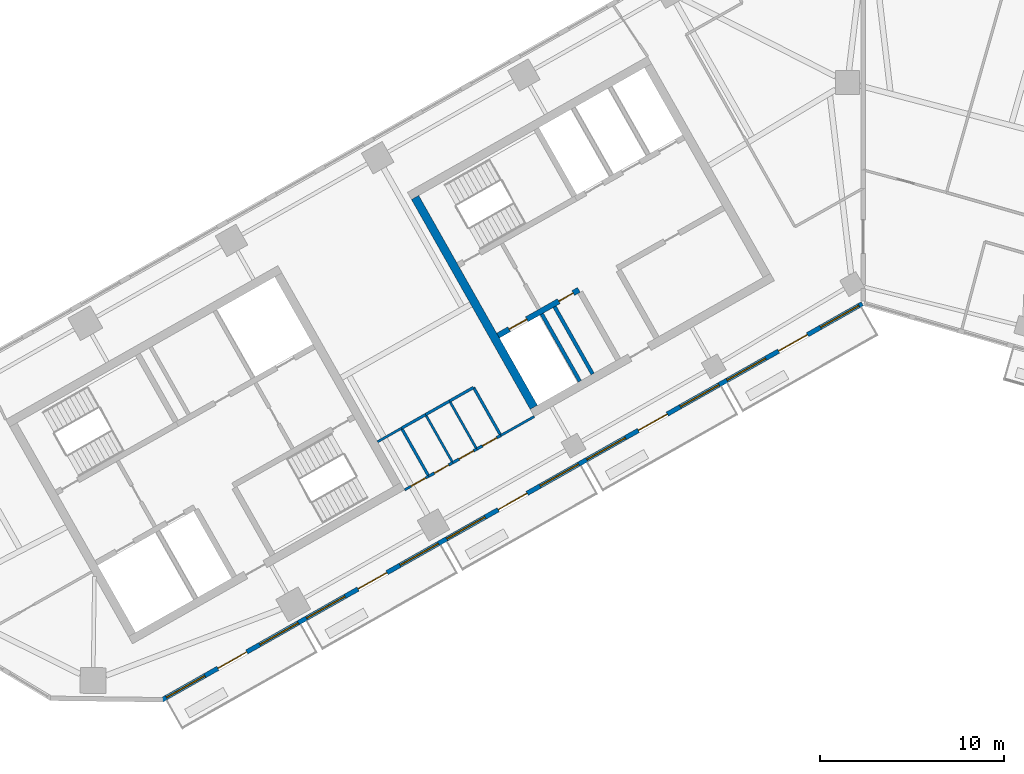
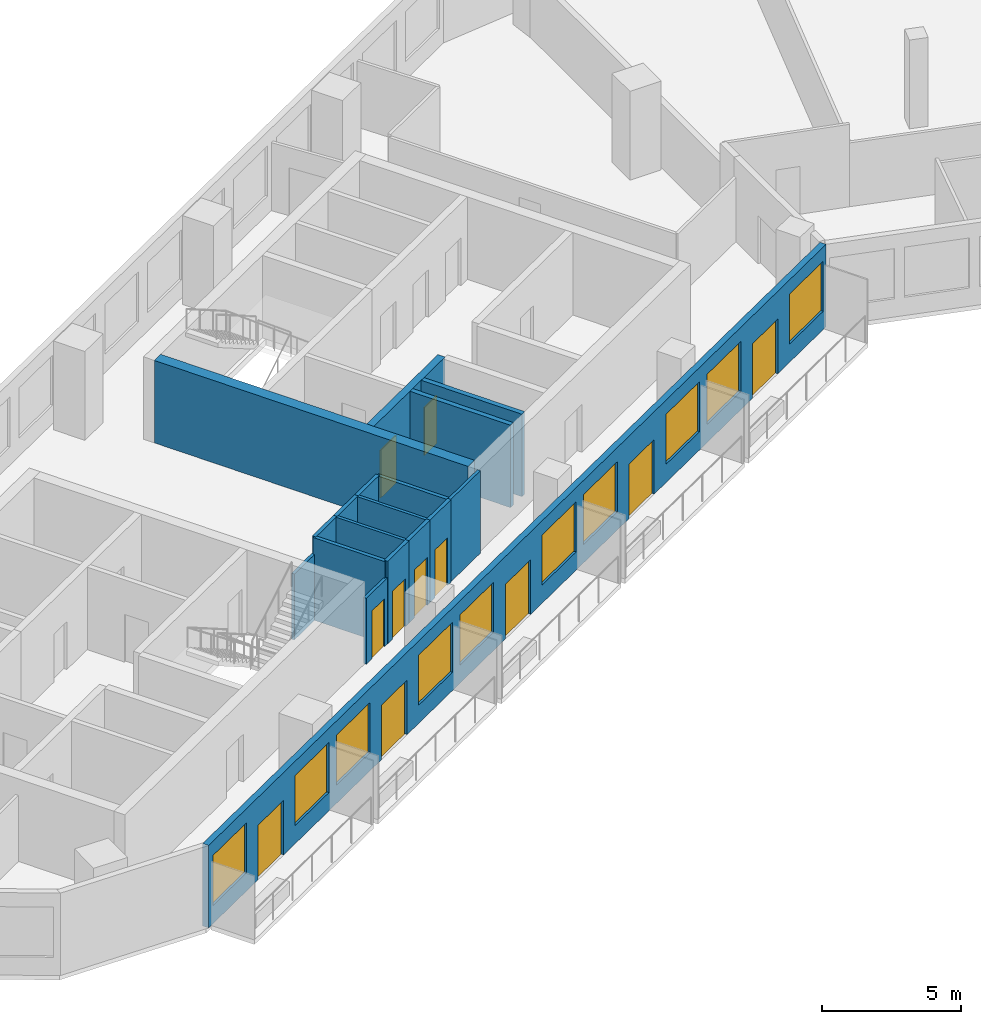
# One storey, part 5 of 12: 18 walls, 11 doors, 10 windows, 21 openings.
"""IFC4 building model written with IfcOpenShell, lengths in metres."""

import ifcopenshell
import ifcopenshell.guid

model = None  # the IFC model being written
_history = None  # IfcOwnerHistory: only IFC2X3 demands one
_inside = {}  # id of a spatial element -> (the spatial element, [elements in it])
_under = {}  # id of a project, library or spatial element -> (it, [spatial elements below it])
_declared = {}  # id of a project -> (the project, [libraries it declares])
_typed = {}  # id of a type object -> (the type object, [elements of that type])
_made_of = {}  # id of a material, layer set ... -> (it, [elements and type objects made of it])


def new_model(schema):
    """Start an empty IFC model of exactly this schema.

    Asked for "IFC4X3", IfcOpenShell would pick the latest addendum, in which some entities
    have other attributes; the version numbers below select the first issue.
    IFC2X3 requires an IfcOwnerHistory on every rooted entity: one is made here for all.
    """
    global model, _history
    if schema == "IFC4X3":
        model = ifcopenshell.file(schema_version=(4, 3, 0, 0))
    else:
        model = ifcopenshell.file(schema=schema)
    _inside.clear()
    _under.clear()
    _declared.clear()
    _typed.clear()
    _made_of.clear()
    _history = None
    if model.schema == "IFC2X3":
        org = make("IfcOrganization", Name="unknown")
        user = make(
            "IfcPersonAndOrganization",
            ThePerson=make("IfcPerson", FamilyName="unknown"),
            TheOrganization=org,
        )
        app = make(
            "IfcApplication",
            ApplicationDeveloper=org,
            Version="unknown",
            ApplicationFullName="unknown",
            ApplicationIdentifier="unknown",
        )
        _history = make(
            "IfcOwnerHistory",
            OwningUser=user,
            OwningApplication=app,
            ChangeAction="ADDED",
            CreationDate=0,
        )
    return model


def make(cls, **values):
    """One entity of the class cls with the attributes given. An attribute that is None is left unset."""
    return model.create_entity(
        cls, **{name: value for name, value in values.items() if value is not None}
    )


def rooted(cls, **values):
    """An entity with a GlobalId (a new one), such as an element, a storey or a relation."""
    return make(cls, GlobalId=ifcopenshell.guid.new(), OwnerHistory=_history, **values)


def si_unit(unit_type, name, prefix=None):
    """IfcSIUnit, for example si_unit("LENGTHUNIT", "METRE", prefix="MILLI")."""
    return make("IfcSIUnit", UnitType=unit_type, Prefix=prefix, Name=name)


def assignment(units):
    """IfcUnitAssignment: the units of a project."""
    return None if units is None else make("IfcUnitAssignment", Units=units)


def point(xyz):
    """IfcCartesianPoint."""
    return None if xyz is None else make("IfcCartesianPoint", Coordinates=xyz)


def direction(xyz):
    """IfcDirection."""
    return None if xyz is None else make("IfcDirection", DirectionRatios=xyz)


def frame(location, z_axis=None, x_axis=None):
    """IfcAxis2Placement3D, a coordinate frame: its origin and axes. An axis left out is left unset."""
    return make(
        "IfcAxis2Placement3D",
        Location=point(location),
        Axis=direction(z_axis),
        RefDirection=direction(x_axis),
    )


def frame_2d(location, x_axis=None):
    """IfcAxis2Placement2D, a coordinate frame in the plane: its origin and x axis."""
    return make(
        "IfcAxis2Placement2D", Location=point(location), RefDirection=direction(x_axis)
    )


def origin():
    """The frame at (0, 0, 0) with its axes left unset."""
    return frame((0.0, 0.0, 0.0))


def place(relative_to, where):
    """IfcLocalPlacement: puts the frame where relative to a parent placement (None: the world)."""
    return make(
        "IfcLocalPlacement", PlacementRelTo=relative_to, RelativePlacement=where
    )


def context(
    kind, dimensions, precision=None, world=None, true_north=None, identifier=None
):
    """IfcGeometricRepresentationContext, for example the 3D "Model" context."""
    return make(
        "IfcGeometricRepresentationContext",
        ContextIdentifier=identifier,
        ContextType=kind,
        CoordinateSpaceDimension=dimensions,
        Precision=precision,
        WorldCoordinateSystem=world,
        TrueNorth=true_north,
    )


def subcontext(parent, identifier, kind, view, scale=None):
    """IfcGeometricRepresentationSubContext, for example "Body" below "Model"."""
    return make(
        "IfcGeometricRepresentationSubContext",
        ContextIdentifier=identifier,
        ContextType=kind,
        ParentContext=parent,
        TargetScale=scale,
        TargetView=view,
    )


def project(units=None, contexts=None):
    """IfcProject with its units and contexts."""
    return rooted(
        "IfcProject",
        Name="project",
        RepresentationContexts=contexts,
        UnitsInContext=assignment(units),
    )


def spatial(cls, under=None, at=None, **own):
    """A site, building, storey or space (cls), placed at a placement, below another one or the project."""
    s = rooted(cls, ObjectPlacement=at, **own)
    if under is not None:
        _under.setdefault(under.id(), (under, []))[1].append(s)
    return s


def profile(cls, at=None, kind="AREA", **sizes):
    """A parametric profile (cls). Its sizes go by their IFC names, for example OverallWidth=200.0."""
    return make(cls, ProfileType=kind, Position=at, **sizes)


def rectangle(**sizes):
    """IfcRectangleProfileDef."""
    return profile("IfcRectangleProfileDef", **sizes)


def extrude(swept, where, along, depth):
    """IfcExtrudedAreaSolid: the profile swept, set in the frame where, extruded along a direction by depth."""
    return make(
        "IfcExtrudedAreaSolid",
        SweptArea=swept,
        Position=where,
        ExtrudedDirection=direction(along),
        Depth=depth,
    )


def shape(context_of_items, identifier, shape_type, items):
    """IfcShapeRepresentation: the items that make up one representation, for example the "Body"."""
    return make(
        "IfcShapeRepresentation",
        ContextOfItems=context_of_items,
        RepresentationIdentifier=identifier,
        RepresentationType=shape_type,
        Items=items,
    )


def material(Name=None, Category=None):
    """IfcMaterial."""
    return make("IfcMaterial", Name=Name, Category=Category)


def layer(
    of_material, thickness, ventilated=None, Name=None, Category=None, Priority=None
):
    """IfcMaterialLayer: one layer of a wall or slab, of a material (None: an air gap)."""
    return make(
        "IfcMaterialLayer",
        Material=of_material,
        LayerThickness=thickness,
        IsVentilated=ventilated,
        Name=Name,
        Category=Category,
        Priority=Priority,
    )


def layer_set(layers, Name=None):
    """IfcMaterialLayerSet."""
    return make("IfcMaterialLayerSet", MaterialLayers=layers, LayerSetName=Name)


def made_of(thing, what):
    """Note that an element or type object is made of a material, layer set ...; save() writes the relation."""
    if what is not None:
        _made_of.setdefault(what.id(), (what, []))[1].append(thing)
    return thing


def type_object(cls, material=None, **own):
    """A type object (cls), such as IfcWallType, which elements share."""
    return made_of(rooted(cls, **own), material)


def element(
    cls,
    number,
    at=None,
    inside=None,
    cuts=None,
    type_object=None,
    material=None,
    context=None,
    identifier="Body",
    shape_type=None,
    held_by="IfcProductDefinitionShape",
    body=None,
    shapes=None,
    **own,
):
    """One element of the class cls, such as IfcWall. Its Tag is "e" and its number.

    at: its placement. inside: the storey or other place that contains it. cuts: it is an
    opening in that element (IfcRelVoidsElement). A single representation is given by context,
    identifier, shape_type and body (its items); several are given by shapes. held_by: the class
    of the entity that holds the representations. save() writes the other relations.
    """
    e = rooted(cls, Tag="e%d" % number, ObjectPlacement=at, **own)
    if body is not None:
        shapes = [shape(context, identifier, shape_type, body)]
    if shapes is not None:
        e.Representation = make(held_by, Representations=shapes)
    if inside is not None:
        _inside.setdefault(inside.id(), (inside, []))[1].append(e)
    if cuts is not None:
        rooted(
            "IfcRelVoidsElement", RelatingBuildingElement=cuts, RelatedOpeningElement=e
        )
    if type_object is not None:
        _typed.setdefault(type_object.id(), (type_object, []))[1].append(e)
    return made_of(e, material)


def fill(opening, filler):
    """IfcRelFillsElement: the door or window that sits in an opening."""
    return rooted(
        "IfcRelFillsElement",
        RelatingOpeningElement=opening,
        RelatedBuildingElement=filler,
    )


def aggregate(whole, parts):
    """IfcRelAggregates: a whole, such as a stair, and the parts it consists of."""
    return rooted("IfcRelAggregates", RelatingObject=whole, RelatedObjects=parts)


def save(model, path):
    """Write the relations noted so far, then the file.

    IfcRelAggregates (storeys below a building ...), IfcRelContainedInSpatialStructure (elements
    in a storey), IfcRelDefinesByType, IfcRelAssociatesMaterial and IfcRelDeclares: one each for
    every whole, place, type object, material and project.
    """
    for whole, parts in _under.values():
        aggregate(whole, parts)
    for where, things in _inside.values():
        rooted(
            "IfcRelContainedInSpatialStructure",
            RelatedElements=things,
            RelatingStructure=where,
        )
    for kind, things in _typed.values():
        rooted("IfcRelDefinesByType", RelatedObjects=things, RelatingType=kind)
    for what, things in _made_of.values():
        rooted("IfcRelAssociatesMaterial", RelatedObjects=things, RelatingMaterial=what)
    for by, libraries in _declared.values():
        rooted("IfcRelDeclares", RelatingContext=by, RelatedDefinitions=libraries)
    model.write(path)


model = new_model("IFC4")

# Units and contexts
model_context = context("Model", 3, precision=1e-05, world=origin(), true_north=direction((0.0, 1.0)))
body_context = subcontext(model_context, "Body", "Model", "MODEL_VIEW")
ifc_project = project(units=[si_unit("LENGTHUNIT", "METRE"), si_unit("AREAUNIT", "SQUARE_METRE"), si_unit("VOLUMEUNIT", "CUBIC_METRE"), si_unit("PLANEANGLEUNIT", "RADIAN"), si_unit("MASSUNIT", "GRAM", prefix="KILO")], contexts=[model_context])

# Site, building, storey
site_placement = place(None, origin())
site = spatial("IfcSite", under=ifc_project, at=site_placement, CompositionType="ELEMENT")
building_placement = place(site_placement, origin())
building = spatial("IfcBuilding", under=site, at=building_placement, Name="Binnacle Exchange Tower", CompositionType="ELEMENT")
storey_placement = place(building_placement, frame((0.0, 0.0, 250.39990234375)))
storey = spatial("IfcBuildingStorey", under=building, at=storey_placement, Name="L55", CompositionType="ELEMENT", Elevation=250.39990234375)

# Wall, openings, doors
ifc_material_1 = material(Name="Concrete C70/85", Category="concrete")
ifc_layer_1 = layer(ifc_material_1, 0.300048828125)
ifc_layer_set_1 = layer_set([ifc_layer_1], Name="Core wall - front 300")
wall_type_1 = type_object("IfcWallType", Name="Core wall - front 300", PredefinedType="SOLIDWALL", material=ifc_layer_set_1)
wall_1_placement = place(storey_placement, frame((-19.8486328125, 46.242431640625, 0.0), z_axis=(0.0, 0.0, 1.0), x_axis=(0.870347559728, 0.492437940532, 0.0)))
wall_1 = element("IfcWall", 1, at=wall_1_placement, inside=storey, type_object=wall_type_1, Name="Core wall CRWC2", PredefinedType="SOLIDWALL", context=body_context, shape_type="SweptSolid", body=[
    extrude(rectangle(XDim=5.050048828125, YDim=0.300048828125, at=frame_2d((2.52490234375, 0.0))), origin(), (0.0, 0.0, 1.0), 3.6201171875),
])
opening_1_placement = place(wall_1_placement, frame((0.7001953125, 0.0, 0.0)))
opening_1 = element("IfcOpeningElement", 2, at=opening_1_placement, cuts=wall_1, Name="Opening LD14", PredefinedType="OPENING", context=body_context, shape_type="SweptSolid", body=[
    extrude(rectangle(XDim=1.10009765625, YDim=2.10009765625, at=frame_2d((0.550048828125, 1.050048828125))), frame((0.0, 0.159912109375, 0.0), z_axis=(0.0, -1.0, 0.0), x_axis=(1.0, 0.0, 0.0)), (0.0, 0.0, 1.0), 0.320068359375),
])
opening_2_placement = place(wall_1_placement, frame((3.800048828125, 0.0, 0.0)))
opening_2 = element("IfcOpeningElement", 3, at=opening_2_placement, cuts=wall_1, Name="Opening DC14", PredefinedType="OPENING", context=body_context, shape_type="SweptSolid", body=[
    extrude(rectangle(XDim=0.89990234375, YDim=2.10009765625, at=frame_2d((0.449951171875, 1.050048828125))), frame((0.0, 0.159912109375, 0.0), z_axis=(0.0, -1.0, 0.0), x_axis=(1.0, 0.0, 0.0)), (0.0, 0.0, 1.0), 0.320068359375),
])
ifc_material_2 = material(Name="Steel door leaf", Category="steel")
door_type_1 = type_object("IfcDoorType", Name="Fire door - lift landing 1100", OperationType="NOTDEFINED", PredefinedType="DOOR", material=ifc_material_2)
door_1_placement = place(opening_1_placement, origin())
door_1 = element("IfcDoor", 4, at=door_1_placement, inside=storey, type_object=door_type_1, Name="Landing door LD14 L55", OperationType="DOUBLE_DOOR_SLIDING", OverallHeight=2.10009765625, OverallWidth=1.10009765625, PredefinedType="DOOR", context=body_context, shape_type="SweptSolid", body=[
    extrude(rectangle(XDim=1.10009765625, YDim=2.10009765625, at=frame_2d((0.550048828125, 1.050048828125))), frame((0.0, 0.02490234375, 0.0), z_axis=(0.0, -1.0, 0.0), x_axis=(1.0, 0.0, 0.0)), (0.0, 0.0, 1.0), 0.050048828125),
])
fill(opening_1, door_1)
door_type_2 = type_object("IfcDoorType", Name="Fire door 900", OperationType="NOTDEFINED", PredefinedType="DOOR", material=ifc_material_2)
door_2_placement = place(opening_2_placement, frame((0.89990234375, 0.0, 0.0), z_axis=(0.0, 0.0, 1.0), x_axis=(-1.0, 0.0, 0.0)))
door_2 = element("IfcDoor", 5, at=door_2_placement, inside=storey, type_object=door_type_2, Name="Core room door IT STORE", OperationType="SINGLE_SWING_LEFT", OverallHeight=2.10009765625, OverallWidth=0.89990234375, PredefinedType="DOOR", context=body_context, shape_type="SweptSolid", body=[
    extrude(rectangle(XDim=0.89990234375, YDim=2.10009765625, at=frame_2d((0.449951171875, 1.050048828125))), frame((0.0, 0.02490234375, 0.0), z_axis=(0.0, -1.0, 0.0), x_axis=(1.0, 0.0, 0.0)), (0.0, 0.0, 1.0), 0.050048828125),
])
fill(opening_2, door_2)

# Wall
ifc_layer_2 = layer(ifc_material_1, 0.449951171875)
ifc_layer_set_2 = layer_set([ifc_layer_2], Name="Core wall - outer 450")
wall_type_2 = type_object("IfcWallType", Name="Core wall - outer 450", PredefinedType="SOLIDWALL", material=ifc_layer_set_2)
wall_2_placement = place(storey_placement, frame((-24.353271484375, 53.747314453125, 0.0), z_axis=(0.0, 0.0, 1.0), x_axis=(0.492435496286, -0.870348942665, 0.0)))
element("IfcWall", 6, at=wall_2_placement, inside=storey, type_object=wall_type_2, Name="Core wall CRWC7", PredefinedType="SOLIDWALL", context=body_context, shape_type="SweptSolid", body=[
    extrude(rectangle(XDim=13.10009765625, YDim=0.449951171875, at=frame_2d((6.550048828125, 0.0))), origin(), (0.0, 0.0, 1.0), 3.6201171875),
])

# Wall, openings, doors, windows
ifc_material_3 = material(Name="Bronze aluminium cladding", Category="aluminium")
ifc_layer_3 = layer(ifc_material_3, 0.25)
ifc_layer_set_3 = layer_set([ifc_layer_3], Name="External wall - window wall 250")
wall_type_3 = type_object("IfcWallType", Name="External wall - window wall 250", PredefinedType="STANDARD", material=ifc_layer_set_3)
wall_3_placement = place(storey_placement, frame((-0.045654296875, 47.97412109375, 0.0), z_axis=(0.0, 0.0, 1.0), x_axis=(-0.870356579543, -0.492421998337, 0.0)))
wall_3 = element("IfcWall", 7, at=wall_3_placement, inside=storey, type_object=wall_type_3, Name="External wall EW-G01 L55", PredefinedType="STANDARD", context=body_context, shape_type="SweptSolid", body=[
    extrude(rectangle(XDim=43.75390625, YDim=0.25, at=frame_2d((21.876953125, 0.0))), origin(), (0.0, 0.0, 1.0), 3.6201171875),
])
opening_3_placement = place(wall_3_placement, frame((41.061279296875, 0.0, 0.800048828125)))
opening_3 = element("IfcOpeningElement", 8, at=opening_3_placement, cuts=wall_3, Name="Opening WR1", PredefinedType="OPENING", context=body_context, shape_type="SweptSolid", body=[
    extrude(rectangle(XDim=2.39990234375, YDim=2.199951171875, at=frame_2d((1.199951171875, 1.10009765625))), frame((0.0, 0.135009765625, 0.0), z_axis=(0.0, -1.0, 0.0), x_axis=(1.0, 0.0, 0.0)), (0.0, 0.0, 1.0), 0.27001953125),
])
opening_4_placement = place(wall_3_placement, frame((38.443115234375, 0.0, 0.0)))
opening_4 = element("IfcOpeningElement", 9, at=opening_4_placement, cuts=wall_3, Name="Opening D-FS15-01", PredefinedType="OPENING", context=body_context, shape_type="SweptSolid", body=[
    extrude(rectangle(XDim=1.800048828125, YDim=2.39990234375, at=frame_2d((0.89990234375, 1.199951171875))), frame((0.0, 0.135009765625, 0.0), z_axis=(0.0, -1.0, 0.0), x_axis=(1.0, 0.0, 0.0)), (0.0, 0.0, 1.0), 0.27001953125),
])
opening_5_placement = place(wall_3_placement, frame((35.224853515625, 0.0, 0.800048828125)))
opening_5 = element("IfcOpeningElement", 10, at=opening_5_placement, cuts=wall_3, Name="Opening WR1", PredefinedType="OPENING", context=body_context, shape_type="SweptSolid", body=[
    extrude(rectangle(XDim=2.39990234375, YDim=2.199951171875, at=frame_2d((1.199951171875, 1.10009765625))), frame((0.0, 0.135009765625, 0.0), z_axis=(0.0, -1.0, 0.0), x_axis=(1.0, 0.0, 0.0)), (0.0, 0.0, 1.0), 0.27001953125),
])
opening_6_placement = place(wall_3_placement, frame((32.306640625, 0.0, 0.800048828125)))
opening_6 = element("IfcOpeningElement", 11, at=opening_6_placement, cuts=wall_3, Name="Opening WR1", PredefinedType="OPENING", context=body_context, shape_type="SweptSolid", body=[
    extrude(rectangle(XDim=2.39990234375, YDim=2.199951171875, at=frame_2d((1.199951171875, 1.10009765625))), frame((0.0, 0.135009765625, 0.0), z_axis=(0.0, -1.0, 0.0), x_axis=(1.0, 0.0, 0.0)), (0.0, 0.0, 1.0), 0.27001953125),
])
opening_7_placement = place(wall_3_placement, frame((29.6884765625, 0.0, 0.0)))
opening_7 = element("IfcOpeningElement", 12, at=opening_7_placement, cuts=wall_3, Name="Opening D-FS15-02", PredefinedType="OPENING", context=body_context, shape_type="SweptSolid", body=[
    extrude(rectangle(XDim=1.800048828125, YDim=2.39990234375, at=frame_2d((0.89990234375, 1.199951171875))), frame((0.0, 0.135009765625, 0.0), z_axis=(0.0, -1.0, 0.0), x_axis=(1.0, 0.0, 0.0)), (0.0, 0.0, 1.0), 0.27001953125),
])
opening_8_placement = place(wall_3_placement, frame((26.47021484375, 0.0, 0.800048828125)))
opening_8 = element("IfcOpeningElement", 13, at=opening_8_placement, cuts=wall_3, Name="Opening WR1", PredefinedType="OPENING", context=body_context, shape_type="SweptSolid", body=[
    extrude(rectangle(XDim=2.39990234375, YDim=2.199951171875, at=frame_2d((1.199951171875, 1.10009765625))), frame((0.0, 0.135009765625, 0.0), z_axis=(0.0, -1.0, 0.0), x_axis=(1.0, 0.0, 0.0)), (0.0, 0.0, 1.0), 0.27001953125),
])
opening_9_placement = place(wall_3_placement, frame((23.552001953125, 0.0, 0.800048828125)))
opening_9 = element("IfcOpeningElement", 14, at=opening_9_placement, cuts=wall_3, Name="Opening WR1", PredefinedType="OPENING", context=body_context, shape_type="SweptSolid", body=[
    extrude(rectangle(XDim=2.39990234375, YDim=2.199951171875, at=frame_2d((1.199951171875, 1.10009765625))), frame((0.0, 0.135009765625, 0.0), z_axis=(0.0, -1.0, 0.0), x_axis=(1.0, 0.0, 0.0)), (0.0, 0.0, 1.0), 0.27001953125),
])
opening_10_placement = place(wall_3_placement, frame((20.93408203125, 0.0, 0.0)))
opening_10 = element("IfcOpeningElement", 15, at=opening_10_placement, cuts=wall_3, Name="Opening D-FS15-03", PredefinedType="OPENING", context=body_context, shape_type="SweptSolid", body=[
    extrude(rectangle(XDim=1.7998046875, YDim=2.39990234375, at=frame_2d((0.89990234375, 1.199951171875))), frame((0.0, 0.135009765625, 0.0), z_axis=(0.0, -1.0, 0.0), x_axis=(1.0, 0.0, 0.0)), (0.0, 0.0, 1.0), 0.27001953125),
])
opening_11_placement = place(wall_3_placement, frame((17.7158203125, 0.0, 0.800048828125)))
opening_11 = element("IfcOpeningElement", 16, at=opening_11_placement, cuts=wall_3, Name="Opening WR1", PredefinedType="OPENING", context=body_context, shape_type="SweptSolid", body=[
    extrude(rectangle(XDim=2.39990234375, YDim=2.199951171875, at=frame_2d((1.199951171875, 1.10009765625))), frame((0.0, 0.135009765625, 0.0), z_axis=(0.0, -1.0, 0.0), x_axis=(1.0, 0.0, 0.0)), (0.0, 0.0, 1.0), 0.27001953125),
])
opening_12_placement = place(wall_3_placement, frame((14.797607421875, 0.0, 0.800048828125)))
opening_12 = element("IfcOpeningElement", 17, at=opening_12_placement, cuts=wall_3, Name="Opening WR1", PredefinedType="OPENING", context=body_context, shape_type="SweptSolid", body=[
    extrude(rectangle(XDim=2.39990234375, YDim=2.199951171875, at=frame_2d((1.199951171875, 1.10009765625))), frame((0.0, 0.135009765625, 0.0), z_axis=(0.0, -1.0, 0.0), x_axis=(1.0, 0.0, 0.0)), (0.0, 0.0, 1.0), 0.27001953125),
])
opening_13_placement = place(wall_3_placement, frame((12.179443359375, 0.0, 0.0)))
opening_13 = element("IfcOpeningElement", 18, at=opening_13_placement, cuts=wall_3, Name="Opening D-FS15-04", PredefinedType="OPENING", context=body_context, shape_type="SweptSolid", body=[
    extrude(rectangle(XDim=1.800048828125, YDim=2.39990234375, at=frame_2d((0.89990234375, 1.199951171875))), frame((0.0, 0.135009765625, 0.0), z_axis=(0.0, -1.0, 0.0), x_axis=(1.0, 0.0, 0.0)), (0.0, 0.0, 1.0), 0.27001953125),
])
opening_14_placement = place(wall_3_placement, frame((8.961181640625, 0.0, 0.800048828125)))
opening_14 = element("IfcOpeningElement", 19, at=opening_14_placement, cuts=wall_3, Name="Opening WR1", PredefinedType="OPENING", context=body_context, shape_type="SweptSolid", body=[
    extrude(rectangle(XDim=2.39990234375, YDim=2.199951171875, at=frame_2d((1.199951171875, 1.10009765625))), frame((0.0, 0.135009765625, 0.0), z_axis=(0.0, -1.0, 0.0), x_axis=(1.0, 0.0, 0.0)), (0.0, 0.0, 1.0), 0.27001953125),
])
opening_15_placement = place(wall_3_placement, frame((6.04296875, 0.0, 0.800048828125)))
opening_15 = element("IfcOpeningElement", 20, at=opening_15_placement, cuts=wall_3, Name="Opening WR1", PredefinedType="OPENING", context=body_context, shape_type="SweptSolid", body=[
    extrude(rectangle(XDim=2.400146484375, YDim=2.199951171875, at=frame_2d((1.2001953125, 1.10009765625))), frame((0.0, 0.135009765625, 0.0), z_axis=(0.0, -1.0, 0.0), x_axis=(1.0, 0.0, 0.0)), (0.0, 0.0, 1.0), 0.27001953125),
])
opening_16_placement = place(wall_3_placement, frame((3.4248046875, 0.0, 0.0)))
opening_16 = element("IfcOpeningElement", 21, at=opening_16_placement, cuts=wall_3, Name="Opening D-FS15-05", PredefinedType="OPENING", context=body_context, shape_type="SweptSolid", body=[
    extrude(rectangle(XDim=1.800048828125, YDim=2.39990234375, at=frame_2d((0.89990234375, 1.199951171875))), frame((0.0, 0.135009765625, 0.0), z_axis=(0.0, -1.0, 0.0), x_axis=(1.0, 0.0, 0.0)), (0.0, 0.0, 1.0), 0.27001953125),
])
opening_17_placement = place(wall_3_placement, frame((0.206787109375, 0.0, 0.800048828125)))
opening_17 = element("IfcOpeningElement", 22, at=opening_17_placement, cuts=wall_3, Name="Opening WR1", PredefinedType="OPENING", context=body_context, shape_type="SweptSolid", body=[
    extrude(rectangle(XDim=2.39990234375, YDim=2.199951171875, at=frame_2d((1.199951171875, 1.10009765625))), frame((0.0, 0.135009765625, 0.0), z_axis=(0.0, -1.0, 0.0), x_axis=(1.0, 0.0, 0.0)), (0.0, 0.0, 1.0), 0.27001953125),
])
ifc_material_4 = material(Name="Bronze anodised aluminium frame", Category="aluminium")
door_type_3 = type_object("IfcDoorType", Name="DB DOOR 1800x2400", OperationType="DOUBLE_DOOR_SINGLE_SWING", PredefinedType="DOOR", material=ifc_material_4)
door_3_placement = place(opening_4_placement, origin())
door_3 = element("IfcDoor", 23, at=door_3_placement, inside=storey, type_object=door_type_3, Name="Door D-FS15-01 L55", OperationType="DOUBLE_DOOR_SINGLE_SWING", OverallHeight=2.39990234375, OverallWidth=1.800048828125, PredefinedType="DOOR", context=body_context, shape_type="SweptSolid", body=[
    extrude(rectangle(XDim=1.800048828125, YDim=2.39990234375, at=frame_2d((0.89990234375, 1.199951171875))), frame((0.0, 0.02490234375, 0.0), z_axis=(0.0, -1.0, 0.0), x_axis=(1.0, 0.0, 0.0)), (0.0, 0.0, 1.0), 0.050048828125),
])
fill(opening_4, door_3)
door_4_placement = place(opening_7_placement, origin())
door_4 = element("IfcDoor", 24, at=door_4_placement, inside=storey, type_object=door_type_3, Name="Door D-FS15-02 L55", OperationType="DOUBLE_DOOR_SINGLE_SWING", OverallHeight=2.39990234375, OverallWidth=1.800048828125, PredefinedType="DOOR", context=body_context, shape_type="SweptSolid", body=[
    extrude(rectangle(XDim=1.800048828125, YDim=2.39990234375, at=frame_2d((0.89990234375, 1.199951171875))), frame((0.0, 0.02490234375, 0.0), z_axis=(0.0, -1.0, 0.0), x_axis=(1.0, 0.0, 0.0)), (0.0, 0.0, 1.0), 0.050048828125),
])
fill(opening_7, door_4)
door_5_placement = place(opening_10_placement, origin())
door_5 = element("IfcDoor", 25, at=door_5_placement, inside=storey, type_object=door_type_3, Name="Door D-FS15-03 L55", OperationType="DOUBLE_DOOR_SINGLE_SWING", OverallHeight=2.39990234375, OverallWidth=1.7998046875, PredefinedType="DOOR", context=body_context, shape_type="SweptSolid", body=[
    extrude(rectangle(XDim=1.7998046875, YDim=2.39990234375, at=frame_2d((0.89990234375, 1.199951171875))), frame((0.0, 0.02490234375, 0.0), z_axis=(0.0, -1.0, 0.0), x_axis=(1.0, 0.0, 0.0)), (0.0, 0.0, 1.0), 0.050048828125),
])
fill(opening_10, door_5)
door_6_placement = place(opening_13_placement, origin())
door_6 = element("IfcDoor", 26, at=door_6_placement, inside=storey, type_object=door_type_3, Name="Door D-FS15-04 L55", OperationType="DOUBLE_DOOR_SINGLE_SWING", OverallHeight=2.39990234375, OverallWidth=1.800048828125, PredefinedType="DOOR", context=body_context, shape_type="SweptSolid", body=[
    extrude(rectangle(XDim=1.800048828125, YDim=2.39990234375, at=frame_2d((0.89990234375, 1.199951171875))), frame((0.0, 0.02490234375, 0.0), z_axis=(0.0, -1.0, 0.0), x_axis=(1.0, 0.0, 0.0)), (0.0, 0.0, 1.0), 0.050048828125),
])
fill(opening_13, door_6)
door_7_placement = place(opening_16_placement, origin())
door_7 = element("IfcDoor", 27, at=door_7_placement, inside=storey, type_object=door_type_3, Name="Door D-FS15-05 L55", OperationType="DOUBLE_DOOR_SINGLE_SWING", OverallHeight=2.39990234375, OverallWidth=1.800048828125, PredefinedType="DOOR", context=body_context, shape_type="SweptSolid", body=[
    extrude(rectangle(XDim=1.800048828125, YDim=2.39990234375, at=frame_2d((0.89990234375, 1.199951171875))), frame((0.0, 0.02490234375, 0.0), z_axis=(0.0, -1.0, 0.0), x_axis=(1.0, 0.0, 0.0)), (0.0, 0.0, 1.0), 0.050048828125),
])
fill(opening_16, door_7)
window_type = type_object("IfcWindowType", Name="WR1 WINDOW 2400x2200", PartitioningType="SINGLE_PANEL", PredefinedType="WINDOW", material=ifc_material_4)
window_1_placement = place(opening_3_placement, origin())
window_1 = element("IfcWindow", 28, at=window_1_placement, inside=storey, type_object=window_type, Name="Window WR1 L55", OverallHeight=2.199951171875, OverallWidth=2.39990234375, PartitioningType="SINGLE_PANEL", PredefinedType="WINDOW", context=body_context, shape_type="SweptSolid", body=[
    extrude(rectangle(XDim=2.39990234375, YDim=2.199951171875, at=frame_2d((1.199951171875, 1.10009765625))), frame((0.0, 0.030029296875, 0.0), z_axis=(0.0, -1.0, 0.0), x_axis=(1.0, 0.0, 0.0)), (0.0, 0.0, 1.0), 0.06005859375),
])
fill(opening_3, window_1)
window_2_placement = place(opening_5_placement, origin())
window_2 = element("IfcWindow", 29, at=window_2_placement, inside=storey, type_object=window_type, Name="Window WR1 L55", OverallHeight=2.199951171875, OverallWidth=2.39990234375, PartitioningType="SINGLE_PANEL", PredefinedType="WINDOW", context=body_context, shape_type="SweptSolid", body=[
    extrude(rectangle(XDim=2.39990234375, YDim=2.199951171875, at=frame_2d((1.199951171875, 1.10009765625))), frame((0.0, 0.030029296875, 0.0), z_axis=(0.0, -1.0, 0.0), x_axis=(1.0, 0.0, 0.0)), (0.0, 0.0, 1.0), 0.06005859375),
])
fill(opening_5, window_2)
window_3_placement = place(opening_6_placement, origin())
window_3 = element("IfcWindow", 30, at=window_3_placement, inside=storey, type_object=window_type, Name="Window WR1 L55", OverallHeight=2.199951171875, OverallWidth=2.39990234375, PartitioningType="SINGLE_PANEL", PredefinedType="WINDOW", context=body_context, shape_type="SweptSolid", body=[
    extrude(rectangle(XDim=2.39990234375, YDim=2.199951171875, at=frame_2d((1.199951171875, 1.10009765625))), frame((0.0, 0.030029296875, 0.0), z_axis=(0.0, -1.0, 0.0), x_axis=(1.0, 0.0, 0.0)), (0.0, 0.0, 1.0), 0.06005859375),
])
fill(opening_6, window_3)
window_4_placement = place(opening_8_placement, origin())
window_4 = element("IfcWindow", 31, at=window_4_placement, inside=storey, type_object=window_type, Name="Window WR1 L55", OverallHeight=2.199951171875, OverallWidth=2.39990234375, PartitioningType="SINGLE_PANEL", PredefinedType="WINDOW", context=body_context, shape_type="SweptSolid", body=[
    extrude(rectangle(XDim=2.39990234375, YDim=2.199951171875, at=frame_2d((1.199951171875, 1.10009765625))), frame((0.0, 0.030029296875, 0.0), z_axis=(0.0, -1.0, 0.0), x_axis=(1.0, 0.0, 0.0)), (0.0, 0.0, 1.0), 0.06005859375),
])
fill(opening_8, window_4)
window_5_placement = place(opening_9_placement, origin())
window_5 = element("IfcWindow", 32, at=window_5_placement, inside=storey, type_object=window_type, Name="Window WR1 L55", OverallHeight=2.199951171875, OverallWidth=2.39990234375, PartitioningType="SINGLE_PANEL", PredefinedType="WINDOW", context=body_context, shape_type="SweptSolid", body=[
    extrude(rectangle(XDim=2.39990234375, YDim=2.199951171875, at=frame_2d((1.199951171875, 1.10009765625))), frame((0.0, 0.030029296875, 0.0), z_axis=(0.0, -1.0, 0.0), x_axis=(1.0, 0.0, 0.0)), (0.0, 0.0, 1.0), 0.06005859375),
])
fill(opening_9, window_5)
window_6_placement = place(opening_11_placement, origin())
window_6 = element("IfcWindow", 33, at=window_6_placement, inside=storey, type_object=window_type, Name="Window WR1 L55", OverallHeight=2.199951171875, OverallWidth=2.39990234375, PartitioningType="SINGLE_PANEL", PredefinedType="WINDOW", context=body_context, shape_type="SweptSolid", body=[
    extrude(rectangle(XDim=2.39990234375, YDim=2.199951171875, at=frame_2d((1.199951171875, 1.10009765625))), frame((0.0, 0.030029296875, 0.0), z_axis=(0.0, -1.0, 0.0), x_axis=(1.0, 0.0, 0.0)), (0.0, 0.0, 1.0), 0.06005859375),
])
fill(opening_11, window_6)
window_7_placement = place(opening_12_placement, origin())
window_7 = element("IfcWindow", 34, at=window_7_placement, inside=storey, type_object=window_type, Name="Window WR1 L55", OverallHeight=2.199951171875, OverallWidth=2.39990234375, PartitioningType="SINGLE_PANEL", PredefinedType="WINDOW", context=body_context, shape_type="SweptSolid", body=[
    extrude(rectangle(XDim=2.39990234375, YDim=2.199951171875, at=frame_2d((1.199951171875, 1.10009765625))), frame((0.0, 0.030029296875, 0.0), z_axis=(0.0, -1.0, 0.0), x_axis=(1.0, 0.0, 0.0)), (0.0, 0.0, 1.0), 0.06005859375),
])
fill(opening_12, window_7)
window_8_placement = place(opening_14_placement, origin())
window_8 = element("IfcWindow", 35, at=window_8_placement, inside=storey, type_object=window_type, Name="Window WR1 L55", OverallHeight=2.199951171875, OverallWidth=2.39990234375, PartitioningType="SINGLE_PANEL", PredefinedType="WINDOW", context=body_context, shape_type="SweptSolid", body=[
    extrude(rectangle(XDim=2.39990234375, YDim=2.199951171875, at=frame_2d((1.199951171875, 1.10009765625))), frame((0.0, 0.030029296875, 0.0), z_axis=(0.0, -1.0, 0.0), x_axis=(1.0, 0.0, 0.0)), (0.0, 0.0, 1.0), 0.06005859375),
])
fill(opening_14, window_8)
window_9_placement = place(opening_15_placement, origin())
window_9 = element("IfcWindow", 36, at=window_9_placement, inside=storey, type_object=window_type, Name="Window WR1 L55", OverallHeight=2.199951171875, OverallWidth=2.400146484375, PartitioningType="SINGLE_PANEL", PredefinedType="WINDOW", context=body_context, shape_type="SweptSolid", body=[
    extrude(rectangle(XDim=2.400146484375, YDim=2.199951171875, at=frame_2d((1.2001953125, 1.10009765625))), frame((0.0, 0.030029296875, 0.0), z_axis=(0.0, -1.0, 0.0), x_axis=(1.0, 0.0, 0.0)), (0.0, 0.0, 1.0), 0.06005859375),
])
fill(opening_15, window_9)
window_10_placement = place(opening_17_placement, origin())
window_10 = element("IfcWindow", 37, at=window_10_placement, inside=storey, type_object=window_type, Name="Window WR1 L55", OverallHeight=2.199951171875, OverallWidth=2.39990234375, PartitioningType="SINGLE_PANEL", PredefinedType="WINDOW", context=body_context, shape_type="SweptSolid", body=[
    extrude(rectangle(XDim=2.39990234375, YDim=2.199951171875, at=frame_2d((1.199951171875, 1.10009765625))), frame((0.0, 0.030029296875, 0.0), z_axis=(0.0, -1.0, 0.0), x_axis=(1.0, 0.0, 0.0)), (0.0, 0.0, 1.0), 0.06005859375),
])
fill(opening_17, window_10)

# Walls
ifc_material_5 = material(Name="Gypsum partition fire rated")
ifc_layer_4 = layer(ifc_material_5, 0.14990234375)
ifc_layer_set_4 = layer_set([ifc_layer_4], Name="Fire-rated partition 150")
wall_type_4 = type_object("IfcWallType", Name="Fire-rated partition 150", PredefinedType="PARTITIONING", material=ifc_layer_set_4)
wall_4_placement = place(storey_placement, frame((-25.090087890625, 41.208984375, 0.0), z_axis=(0.0, 0.0, 1.0), x_axis=(0.870468812868, 0.492223573008, 0.0)))
element("IfcWall", 38, at=wall_4_placement, inside=storey, type_object=wall_type_4, Name="Partition W04", PredefinedType="PARTITIONING", context=body_context, shape_type="SweptSolid", body=[
    extrude(rectangle(XDim=1.49951171875, YDim=0.14990234375, at=frame_2d((0.749755859375, 0.0))), origin(), (0.0, 0.0, 1.0), 3.6201171875),
])
wall_5_placement = place(storey_placement, frame((-25.090087890625, 41.208984375, 0.0), z_axis=(0.0, 0.0, 1.0), x_axis=(0.492365617434, -0.870388475779, 0.0)))
element("IfcWall", 39, at=wall_5_placement, inside=storey, type_object=wall_type_4, Name="Partition W05", PredefinedType="PARTITIONING", context=body_context, shape_type="SweptSolid", body=[
    extrude(rectangle(XDim=3.0, YDim=0.14990234375, at=frame_2d((1.5, 0.0))), origin(), (0.0, 0.0, 1.0), 3.6201171875),
])
wall_6_placement = place(storey_placement, frame((-23.784912109375, 41.947021484375, 0.0), z_axis=(0.0, 0.0, 1.0), x_axis=(0.870308175411, 0.492507542899, 0.0)))
element("IfcWall", 40, at=wall_6_placement, inside=storey, type_object=wall_type_4, Name="Partition W07", PredefinedType="PARTITIONING", context=body_context, shape_type="SweptSolid", body=[
    extrude(rectangle(XDim=1.50048828125, YDim=0.14990234375, at=frame_2d((0.750244140625, 0.0))), origin(), (0.0, 0.0, 1.0), 3.6201171875),
])

# Wall, opening, door
wall_7_placement = place(storey_placement, frame((-23.613037109375, 38.597900390625, 0.0), z_axis=(0.0, 0.0, 1.0), x_axis=(0.870429354291, 0.492293346683, 0.0)))
wall_7 = element("IfcWall", 41, at=wall_7_placement, inside=storey, type_object=wall_type_4, Name="Partition W09", PredefinedType="PARTITIONING", context=body_context, shape_type="SweptSolid", body=[
    extrude(rectangle(XDim=1.499267578125, YDim=0.14990234375, at=frame_2d((0.74951171875, 0.0))), origin(), (0.0, 0.0, 1.0), 3.6201171875),
])
opening_18_placement = place(wall_7_placement, frame((0.35009765625, 0.0, 0.0)))
opening_18 = element("IfcOpeningElement", 42, at=opening_18_placement, cuts=wall_7, Name="Opening DL55-03", PredefinedType="OPENING", context=body_context, shape_type="SweptSolid", body=[
    extrude(rectangle(XDim=0.89990234375, YDim=2.10009765625, at=frame_2d((0.449951171875, 1.050048828125))), frame((0.0, 0.0849609375, 0.0), z_axis=(0.0, -1.0, 0.0), x_axis=(1.0, 0.0, 0.0)), (0.0, 0.0, 1.0), 0.169921875),
])
door_8_placement = place(opening_18_placement, origin())
door_8 = element("IfcDoor", 43, at=door_8_placement, inside=storey, type_object=door_type_2, Name="Door DL55-03", OperationType="SINGLE_SWING_RIGHT", OverallHeight=2.10009765625, OverallWidth=0.89990234375, PredefinedType="DOOR", context=body_context, shape_type="SweptSolid", body=[
    extrude(rectangle(XDim=0.89990234375, YDim=2.10009765625, at=frame_2d((0.449951171875, 1.050048828125))), frame((0.0, 0.02490234375, 0.0), z_axis=(0.0, -1.0, 0.0), x_axis=(1.0, 0.0, 0.0)), (0.0, 0.0, 1.0), 0.050048828125),
])
fill(opening_18, door_8)

# Wall
wall_8_placement = place(storey_placement, frame((-22.47900390625, 42.68603515625, 0.0), z_axis=(0.0, 0.0, 1.0), x_axis=(0.870150176056, 0.492786638526, 0.0)))
element("IfcWall", 44, at=wall_8_placement, inside=storey, type_object=wall_type_4, Name="Partition W10", PredefinedType="PARTITIONING", context=body_context, shape_type="SweptSolid", body=[
    extrude(rectangle(XDim=1.499755859375, YDim=0.14990234375, at=frame_2d((0.75, 0.0))), origin(), (0.0, 0.0, 1.0), 3.6201171875),
])

# Wall, opening, door
wall_9_placement = place(storey_placement, frame((-22.30810546875, 39.3359375, 0.0), z_axis=(0.0, 0.0, 1.0), x_axis=(0.870347633314, 0.492437810475, 0.0)))
wall_9 = element("IfcWall", 45, at=wall_9_placement, inside=storey, type_object=wall_type_4, Name="Partition W12", PredefinedType="PARTITIONING", context=body_context, shape_type="SweptSolid", body=[
    extrude(rectangle(XDim=1.500732421875, YDim=0.14990234375, at=frame_2d((0.75048828125, 0.0))), origin(), (0.0, 0.0, 1.0), 3.6201171875),
])
opening_19_placement = place(wall_9_placement, frame((0.39990234375, 0.0, 0.0)))
opening_19 = element("IfcOpeningElement", 46, at=opening_19_placement, cuts=wall_9, Name="Opening DL55-04", PredefinedType="OPENING", context=body_context, shape_type="SweptSolid", body=[
    extrude(rectangle(XDim=0.89990234375, YDim=2.10009765625, at=frame_2d((0.449951171875, 1.050048828125))), frame((0.0, 0.0849609375, 0.0), z_axis=(0.0, -1.0, 0.0), x_axis=(1.0, 0.0, 0.0)), (0.0, 0.0, 1.0), 0.169921875),
])
door_9_placement = place(opening_19_placement, origin())
door_9 = element("IfcDoor", 47, at=door_9_placement, inside=storey, type_object=door_type_2, Name="Door DL55-04", OperationType="SINGLE_SWING_RIGHT", OverallHeight=2.10009765625, OverallWidth=0.89990234375, PredefinedType="DOOR", context=body_context, shape_type="SweptSolid", body=[
    extrude(rectangle(XDim=0.89990234375, YDim=2.10009765625, at=frame_2d((0.449951171875, 1.050048828125))), frame((0.0, 0.02490234375, 0.0), z_axis=(0.0, -1.0, 0.0), x_axis=(1.0, 0.0, 0.0)), (0.0, 0.0, 1.0), 0.050048828125),
])
fill(opening_19, door_9)

# Wall
wall_10_placement = place(storey_placement, frame((-21.174072265625, 43.425048828125, 0.0), z_axis=(0.0, 0.0, 1.0), x_axis=(0.492365617434, -0.870388475779, 0.0)))
element("IfcWall", 48, at=wall_10_placement, inside=storey, type_object=wall_type_4, Name="Partition W13", PredefinedType="PARTITIONING", context=body_context, shape_type="SweptSolid", body=[
    extrude(rectangle(XDim=3.0, YDim=0.14990234375, at=frame_2d((1.5, 0.0))), origin(), (0.0, 0.0, 1.0), 3.6201171875),
])

# Wall, opening, door
wall_11_placement = place(storey_placement, frame((-21.001953125, 40.074951171875, 0.0), z_axis=(0.0, 0.0, 1.0), x_axis=(0.870150176056, 0.492786638526, 0.0)))
wall_11 = element("IfcWall", 49, at=wall_11_placement, inside=storey, type_object=wall_type_4, Name="Partition W14", PredefinedType="PARTITIONING", context=body_context, shape_type="SweptSolid", body=[
    extrude(rectangle(XDim=1.499755859375, YDim=0.14990234375, at=frame_2d((0.75, 0.0))), origin(), (0.0, 0.0, 1.0), 3.6201171875),
])
opening_20_placement = place(wall_11_placement, frame((0.35009765625, 0.0, 0.0)))
opening_20 = element("IfcOpeningElement", 50, at=opening_20_placement, cuts=wall_11, Name="Opening DL55-05", PredefinedType="OPENING", context=body_context, shape_type="SweptSolid", body=[
    extrude(rectangle(XDim=0.89990234375, YDim=2.10009765625, at=frame_2d((0.449951171875, 1.050048828125))), frame((0.0, 0.0849609375, 0.0), z_axis=(0.0, -1.0, 0.0), x_axis=(1.0, 0.0, 0.0)), (0.0, 0.0, 1.0), 0.169921875),
])
door_10_placement = place(opening_20_placement, origin())
door_10 = element("IfcDoor", 51, at=door_10_placement, inside=storey, type_object=door_type_2, Name="Door DL55-05", OperationType="SINGLE_SWING_RIGHT", OverallHeight=2.10009765625, OverallWidth=0.89990234375, PredefinedType="DOOR", context=body_context, shape_type="SweptSolid", body=[
    extrude(rectangle(XDim=0.89990234375, YDim=2.10009765625, at=frame_2d((0.449951171875, 1.050048828125))), frame((0.0, 0.02490234375, 0.0), z_axis=(0.0, -1.0, 0.0), x_axis=(1.0, 0.0, 0.0)), (0.0, 0.0, 1.0), 0.050048828125),
])
fill(opening_20, door_10)

# Wall
ifc_material_6 = material(Name="Gypsum partition")
ifc_layer_5 = layer(ifc_material_6, 0.125)
ifc_layer_set_5 = layer_set([ifc_layer_5], Name="Partition 125")
wall_type_5 = type_object("IfcWallType", Name="Partition 125", PredefinedType="PARTITIONING", material=ifc_layer_set_5)
wall_12_placement = place(storey_placement, frame((-26.39599609375, 40.469970703125, 0.0), z_axis=(0.0, 0.0, 1.0), x_axis=(0.870308175411, 0.492507542899, 0.0)))
element("IfcWall", 52, at=wall_12_placement, inside=storey, type_object=wall_type_5, Name="Partition W03", PredefinedType="PARTITIONING", context=body_context, shape_type="SweptSolid", body=[
    extrude(rectangle(XDim=1.50048828125, YDim=0.125, at=frame_2d((0.750244140625, 0.0))), origin(), (0.0, 0.0, 1.0), 2.89208984375),
])

# Wall, opening, door
wall_13_placement = place(storey_placement, frame((-24.9189453125, 37.85888671875, 0.0), z_axis=(0.0, 0.0, 1.0), x_axis=(0.870308175411, 0.492507542899, 0.0)))
wall_13 = element("IfcWall", 53, at=wall_13_placement, inside=storey, type_object=wall_type_5, Name="Partition W06", PredefinedType="PARTITIONING", context=body_context, shape_type="SweptSolid", body=[
    extrude(rectangle(XDim=1.50048828125, YDim=0.125, at=frame_2d((0.750244140625, 0.0))), origin(), (0.0, 0.0, 1.0), 2.89208984375),
])
opening_21_placement = place(wall_13_placement, frame((0.39990234375, 0.0, 0.0)))
opening_21 = element("IfcOpeningElement", 54, at=opening_21_placement, cuts=wall_13, Name="Opening DL55-02", PredefinedType="OPENING", context=body_context, shape_type="SweptSolid", body=[
    extrude(rectangle(XDim=0.89990234375, YDim=2.10009765625, at=frame_2d((0.449951171875, 1.050048828125))), frame((0.0, 0.072509765625, 0.0), z_axis=(0.0, -1.0, 0.0), x_axis=(1.0, 0.0, 0.0)), (0.0, 0.0, 1.0), 0.14501953125),
])
ifc_material_7 = material(Name="Timber door leaf", Category="wood")
door_type_4 = type_object("IfcDoorType", Name="Door 900", OperationType="NOTDEFINED", PredefinedType="DOOR", material=ifc_material_7)
door_11_placement = place(opening_21_placement, origin())
door_11 = element("IfcDoor", 55, at=door_11_placement, inside=storey, type_object=door_type_4, Name="Door DL55-02", OperationType="SINGLE_SWING_RIGHT", OverallHeight=2.10009765625, OverallWidth=0.89990234375, PredefinedType="DOOR", context=body_context, shape_type="SweptSolid", body=[
    extrude(rectangle(XDim=0.89990234375, YDim=2.10009765625, at=frame_2d((0.449951171875, 1.050048828125))), frame((0.0, 0.02490234375, 0.0), z_axis=(0.0, -1.0, 0.0), x_axis=(1.0, 0.0, 0.0)), (0.0, 0.0, 1.0), 0.050048828125),
])
fill(opening_21, door_11)

# Walls
wall_14_placement = place(storey_placement, frame((-23.784912109375, 41.947021484375, 0.0), z_axis=(0.0, 0.0, 1.0), x_axis=(0.492303960105, -0.870423351516, 0.0)))
element("IfcWall", 56, at=wall_14_placement, inside=storey, type_object=wall_type_5, Name="Partition W08", PredefinedType="PARTITIONING", context=body_context, shape_type="SweptSolid", body=[
    extrude(rectangle(XDim=2.999755859375, YDim=0.125, at=frame_2d((1.5, 0.0))), origin(), (0.0, 0.0, 1.0), 3.6201171875),
])
wall_15_placement = place(storey_placement, frame((-22.47900390625, 42.68603515625, 0.0), z_axis=(0.0, 0.0, 1.0), x_axis=(0.492365617434, -0.870388475779, 0.0)))
element("IfcWall", 57, at=wall_15_placement, inside=storey, type_object=wall_type_5, Name="Partition W11", PredefinedType="PARTITIONING", context=body_context, shape_type="SweptSolid", body=[
    extrude(rectangle(XDim=3.0, YDim=0.125, at=frame_2d((1.5, 0.0))), origin(), (0.0, 0.0, 1.0), 3.6201171875),
])
wall_16_placement = place(storey_placement, frame((-19.697021484375, 40.81396484375, 0.0), z_axis=(0.0, 0.0, 1.0), x_axis=(0.870497588791, 0.492172680986, 0.0)))
element("IfcWall", 58, at=wall_16_placement, inside=storey, type_object=wall_type_5, Name="Partition W15", PredefinedType="PARTITIONING", context=body_context, shape_type="SweptSolid", body=[
    extrude(rectangle(XDim=2.0908203125, YDim=0.125, at=frame_2d((1.04541015625, 0.0))), origin(), (0.0, 0.0, 1.0), 3.6201171875),
])
ifc_material_8 = material(Name="Masonry block wall", Category="masonry")
ifc_layer_6 = layer(ifc_material_8, 0.199951171875)
ifc_layer_set_6 = layer_set([ifc_layer_6], Name="Riser wall 200")
wall_type_6 = type_object("IfcWallType", Name="Riser wall 200", PredefinedType="SOLIDWALL", material=ifc_layer_set_6)
for number, where, z_axis, x_axis, name in (
    (59, (-17.468505859375, 47.416748046875, 0.0), (0.0, 0.0, 1.0), (0.492453686477, -0.870338650569, 0.0), "Core wall CRWC8"),
    (60, (-16.772216796875, 47.810791015625, 0.0), (0.0, 0.0, 1.0), (0.492453686477, -0.870338650569, 0.0), "Core wall CRWC11"),
):
    element("IfcWall", number, at=place(storey_placement, frame(where, z_axis=z_axis, x_axis=x_axis)), inside=storey, type_object=wall_type_6, Name=name, PredefinedType="SOLIDWALL", context=body_context, shape_type="SweptSolid", body=[
        extrude(rectangle(XDim=4.2001953125, YDim=0.199951171875, at=frame_2d((2.10009765625, 0.0))), origin(), (0.0, 0.0, 1.0), 3.6201171875),
    ])

save(model, "model.ifc")
